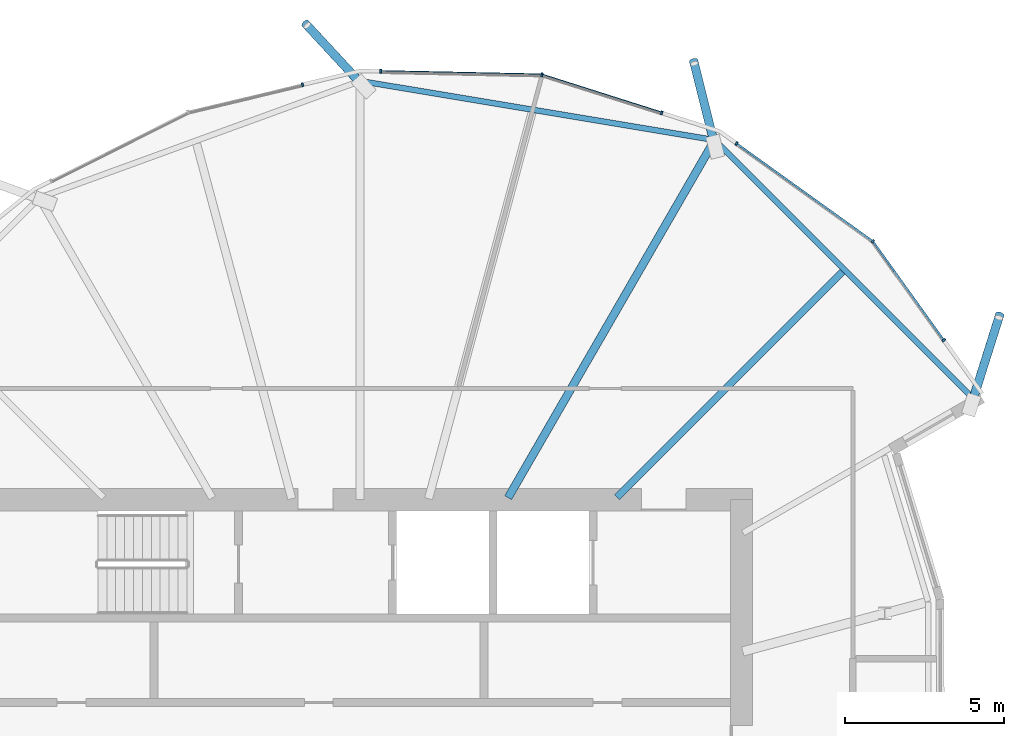
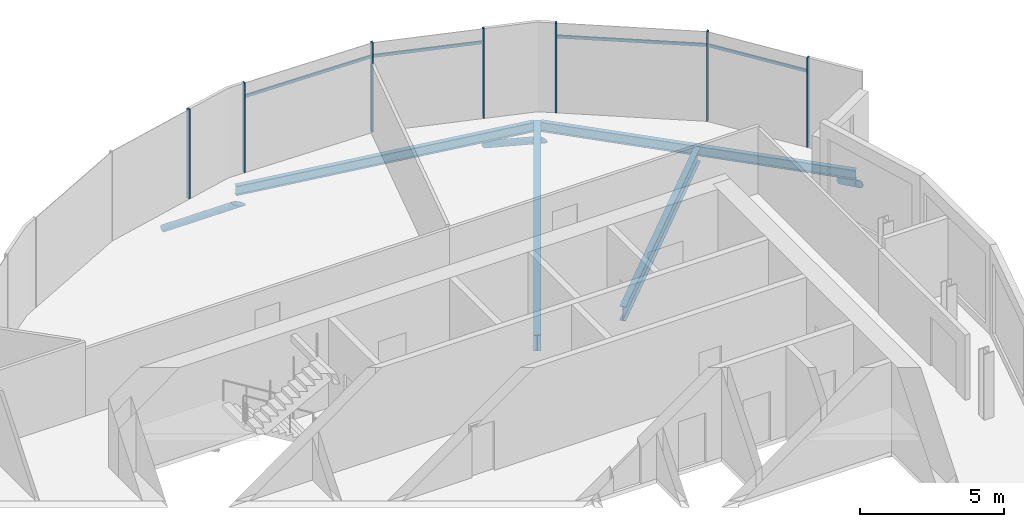
# One storey, part 18 of 39: 14 members, 4 beams, 1 element without a shape of its own.
"""IFC4 building model written with IfcOpenShell, lengths in metres."""

from ifc_helpers import new_model, si_unit, direction, frame, origin, origin_2d, place, context, subcontext, project, spatial, rectangle, hollow_circle, i_section, extrude, clip, halfspace, material, material_profile, profile_set, type_object, element, aggregate, save


model = new_model("IFC4")

# Units and contexts
model_context = context("Model", 3, precision=1e-05, world=origin(), true_north=direction((0.0, 1.0)))
body_context = subcontext(model_context, "Body", "Model", "MODEL_VIEW")
ifc_project = project(units=[si_unit("LENGTHUNIT", "METRE"), si_unit("AREAUNIT", "SQUARE_METRE"), si_unit("VOLUMEUNIT", "CUBIC_METRE"), si_unit("PLANEANGLEUNIT", "RADIAN"), si_unit("MASSUNIT", "GRAM", prefix="KILO")], contexts=[model_context])

# Site, building, storey
site_placement = place(None, origin())
site = spatial("IfcSite", under=ifc_project, at=site_placement, CompositionType="ELEMENT")
building_placement = place(site_placement, origin())
building = spatial("IfcBuilding", under=site, at=building_placement, Name="Rimbun Link Towers", CompositionType="ELEMENT")
storey_placement = place(building_placement, frame((0.0, 0.0, 143.0)))
storey = spatial("IfcBuildingStorey", under=building, at=storey_placement, Name="L34", CompositionType="ELEMENT", Elevation=143.0)

# Curtain wall, members
ifc_material_1 = material(Name="Aluminium 6063-T6 and low-iron glass", Category="aluminium")
curtain_wall_type = type_object("IfcCurtainWallType", Name="CW4 link block wall", PredefinedType="NOTDEFINED", material=ifc_material_1)
curtain_wall_placement = place(storey_placement, origin())
curtain_wall = element("IfcCurtainWall", 1, at=curtain_wall_placement, inside=storey, type_object=curtain_wall_type, Name="CW4 L34 T2", PredefinedType="NOTDEFINED")
ifc_material_2 = material(Name="Aluminium 6063-T6", Category="aluminium")
ifc_material_profile_1 = material_profile(ifc_material_2, rectangle(XDim=0.1201171875, YDim=0.06005859375, at=origin_2d()), Name="MULLION 60X120")
ifc_profile_set_1 = profile_set([ifc_material_profile_1], Name="Aluminium 6063-T6")
member_type_1 = type_object("IfcMemberType", Name="CW4 mullion 60X120", PredefinedType="MULLION", material=ifc_profile_set_1)
member_1_placement = place(storey_placement, frame((43.593994140625, 19.208984375, 0.0), z_axis=(0.0, 0.0, 1.0), x_axis=(0.58300948996, 0.81246534364, 0.0)))
member_1 = element("IfcMember", 2, at=member_1_placement, type_object=member_type_1, Name="CW4 mullion", PredefinedType="MULLION", context=body_context, shape_type="SweptSolid", body=[
    extrude(rectangle(XDim=0.1201171875, YDim=0.06005859375, at=origin_2d()), origin(), (0.0, 0.0, 1.0), 3.800048828125),
])
member_2_placement = place(storey_placement, frame((47.881591796875, 16.131591796875, 0.0), z_axis=(0.0, 0.0, 1.0), x_axis=(0.707106781187, 0.707106781187, 0.0)))
member_2 = element("IfcMember", 3, at=member_2_placement, type_object=member_type_1, Name="CW4 mullion", PredefinedType="MULLION", context=body_context, shape_type="SweptSolid", body=[
    extrude(rectangle(XDim=0.1201171875, YDim=0.06005859375, at=origin_2d()), origin(), (0.0, 0.0, 1.0), 3.800048828125),
])
member_3_placement = place(storey_placement, frame((37.469970703125, 21.3701171875, 0.0), z_axis=(0.0, 0.0, 1.0), x_axis=(0.163742365799, 0.986503136154, 0.0)))
member_3 = element("IfcMember", 4, at=member_3_placement, type_object=member_type_1, Name="CW4 mullion", PredefinedType="MULLION", context=body_context, shape_type="SweptSolid", body=[
    extrude(rectangle(XDim=0.1201171875, YDim=0.06005859375, at=origin_2d()), origin(), (0.0, 0.0, 1.0), 3.800048828125),
])
member_4_placement = place(storey_placement, frame((41.238525390625, 20.17236328125, 0.0), z_axis=(0.0, 0.0, 1.0), x_axis=(0.303059612182, 0.952971600555, 0.0)))
member_4 = element("IfcMember", 5, at=member_4_placement, type_object=member_type_1, Name="CW4 mullion", PredefinedType="MULLION", context=body_context, shape_type="SweptSolid", body=[
    extrude(rectangle(XDim=0.1201171875, YDim=0.06005859375, at=origin_2d()), origin(), (0.0, 0.0, 1.0), 3.800048828125),
])
member_5_placement = place(storey_placement, frame((32.401123046875, 21.4775390625, 0.0), z_axis=(0.0, 0.0, 1.0), x_axis=(0.021062889527, 0.999778152734, 0.0)))
member_5 = element("IfcMember", 6, at=member_5_placement, type_object=member_type_1, Name="CW4 mullion", PredefinedType="MULLION", context=body_context, shape_type="SweptSolid", body=[
    extrude(rectangle(XDim=0.1201171875, YDim=0.06005859375, at=origin_2d()), origin(), (0.0, 0.0, 1.0), 3.800048828125),
])
member_6_placement = place(storey_placement, frame((29.936767578125, 21.059326171875, 0.0), z_axis=(0.0, 0.0, 1.0), x_axis=(-0.232587665973, 0.972575435448, 0.0)))
member_6 = element("IfcMember", 7, at=member_6_placement, type_object=member_type_1, Name="CW4 mullion", PredefinedType="MULLION", context=body_context, shape_type="SweptSolid", body=[
    extrude(rectangle(XDim=0.1201171875, YDim=0.06005859375, at=origin_2d()), origin(), (0.0, 0.0, 1.0), 3.800048828125),
])
member_7_placement = place(storey_placement, frame((50.11376953125, 13.022216796875, 0.0), z_axis=(0.0, 0.0, 1.0), x_axis=(0.81246534364, 0.58300948996, 0.0)))
member_7 = element("IfcMember", 8, at=member_7_placement, type_object=member_type_1, Name="CW4 mullion", PredefinedType="MULLION", context=body_context, shape_type="SweptSolid", body=[
    extrude(rectangle(XDim=0.1201171875, YDim=0.06005859375, at=origin_2d()), origin(), (0.0, 0.0, 1.0), 3.800048828125),
])
ifc_material_3 = material(Name="Aluminium 6063-T6", Category="aluminium")
ifc_material_profile_2 = material_profile(ifc_material_3, rectangle(XDim=0.06005859375, YDim=0.1201171875, at=origin_2d()), Name="TRANSOM 60X120")
ifc_profile_set_2 = profile_set([ifc_material_profile_2], Name="Aluminium 6063-T6")
member_type_2 = type_object("IfcMemberType", Name="CW4 transom 60X120", PredefinedType="USERDEFINED", material=ifc_profile_set_2)
member_8_placement = place(storey_placement, frame((43.6171875, 19.18994140625, 3.199951171875), z_axis=(0.812489980296, -0.58297515549, 0.0), x_axis=(0.58297515549, 0.812489980296, 0.0)))
member_8 = element("IfcMember", 9, at=member_8_placement, type_object=member_type_2, Name="CW4 transom", ObjectType="TRANSOM", PredefinedType="USERDEFINED", context=body_context, shape_type="SweptSolid", body=[
    extrude(rectangle(XDim=0.06005859375, YDim=0.1201171875, at=origin_2d()), origin(), (0.0, 0.0, 1.0), 5.2080078125),
])
member_9_placement = place(storey_placement, frame((37.50634765625, 21.357177734375, 3.199951171875), z_axis=(0.952959606223, -0.303097325801, 0.0), x_axis=(0.303097325801, 0.952959606223, 0.0)))
member_9 = element("IfcMember", 10, at=member_9_placement, type_object=member_type_2, Name="CW4 transom", ObjectType="TRANSOM", PredefinedType="USERDEFINED", context=body_context, shape_type="SweptSolid", body=[
    extrude(rectangle(XDim=0.06005859375, YDim=0.1201171875, at=origin_2d()), origin(), (0.0, 0.0, 1.0), 3.8857421875),
])
member_10_placement = place(storey_placement, frame((32.43115234375, 21.474853515625, 3.199951171875), z_axis=(0.99977865077, -0.021039236291, 0.0), x_axis=(0.021039236291, 0.99977865077, 0.0)))
member_10 = element("IfcMember", 11, at=member_10_placement, type_object=member_type_2, Name="CW4 transom", ObjectType="TRANSOM", PredefinedType="USERDEFINED", context=body_context, shape_type="SweptSolid", body=[
    extrude(rectangle(XDim=0.06005859375, YDim=0.1201171875, at=origin_2d()), origin(), (0.0, 0.0, 1.0), 5.00146484375),
])
member_11_placement = place(storey_placement, frame((47.90380859375, 16.0986328125, 3.199951171875), z_axis=(0.583006708958, -0.812467339227, 0.0), x_axis=(0.812467339227, 0.583006708958, 0.0)))
member_11 = element("IfcMember", 12, at=member_11_placement, type_object=member_type_2, Name="CW4 transom", ObjectType="TRANSOM", PredefinedType="USERDEFINED", context=body_context, shape_type="SweptSolid", body=[
    extrude(rectangle(XDim=0.06005859375, YDim=0.1201171875, at=origin_2d()), origin(), (0.0, 0.0, 1.0), 3.758056640625),
])
aggregate(curtain_wall, [member_1, member_2, member_3, member_4, member_5, member_6, member_7, member_8, member_9, member_10, member_11])

# Members
ifc_material_4 = material(Name="Steel S355J2H", Category="steel")
ifc_material_profile_3 = material_profile(ifc_material_4, hollow_circle(Radius=0.136474609375, WallThickness=0.012451171875, at=origin_2d()), Name="CHS 273x12.5")
ifc_profile_set_3 = profile_set([ifc_material_profile_3], Name="Steel S355J2H")
member_type_3 = type_object("IfcMemberType", Name="Floor edge link CHS 273x12.5", PredefinedType="BRACE", material=ifc_profile_set_3)
member_12_placement = place(storey_placement, frame((42.878173828125, 19.2744140625, -0.98193359375), z_axis=(-0.211190436745, 0.841445466662, -0.497361162598), x_axis=(-0.969917223823, -0.24343495832, 0.0)))
element("IfcMember", 13, at=member_12_placement, inside=storey, type_object=member_type_3, Name="Floor edge link T2 L34 01", PredefinedType="BRACE", context=body_context, shape_type="Clipping", body=[
    clip(extrude(hollow_circle(Radius=0.136474609375, WallThickness=0.012451171875, at=origin_2d()), frame((0.0, 0.0, -0.496337890625)), (0.0, 0.0, 1.0), 3.5146484375), halfspace(frame((0.0, 0.0, -0.234130859375), z_axis=(0.0, 0.86754358619, -0.497361162598)), False)),
])
member_13_placement = place(storey_placement, frame((31.75, 21.124267578125, -0.98095703125), z_axis=(-0.585517339226, 0.631677084251, -0.508088089506), x_axis=(-0.733395258638, -0.679802467344, 0.0)))
element("IfcMember", 14, at=member_13_placement, inside=storey, type_object=member_type_3, Name="Floor edge link T2 L34 03", PredefinedType="BRACE", context=body_context, shape_type="Clipping", body=[
    clip(extrude(hollow_circle(Radius=0.136474609375, WallThickness=0.012451171875, at=origin_2d()), frame((0.0, 0.0, -0.482421875)), (0.0, 0.0, 1.0), 3.433837890625), halfspace(frame((0.0, 0.0, -0.227294921875), z_axis=(0.0, 0.861305110458, -0.508088089506)), False)),
])
member_14_placement = place(storey_placement, frame((51.0244140625, 11.128173828125, -0.748779296875), z_axis=(0.254433213467, 0.806179184546, -0.534171191931), x_axis=(-0.953633496524, 0.300970354534, 0.0)))
element("IfcMember", 15, at=member_14_placement, inside=storey, type_object=member_type_3, Name="Floor edge link T2 L34 23", PredefinedType="BRACE", context=body_context, shape_type="Clipping", body=[
    clip(extrude(hollow_circle(Radius=0.136474609375, WallThickness=0.012451171875, at=origin_2d()), frame((0.0, 0.0, -0.450927734375)), (0.0, 0.0, 1.0), 3.798828125), halfspace(frame((0.0, 0.0, -0.212158203125), z_axis=(0.0, 0.845376329046, -0.534171191931)), False)),
])

# Beams
ifc_material_5 = material(Name="Steel S355J2", Category="steel")
ifc_material_profile_4 = material_profile(ifc_material_5, i_section(OverallWidth=0.177978515625, OverallDepth=0.406494140625, WebThickness=0.0078125, FlangeThickness=0.0126953125, at=origin_2d()), Name="UB 406x178x60")
ifc_profile_set_4 = profile_set([ifc_material_profile_4], Name="Steel S355J2")
beam_type_1 = type_object("IfcBeamType", Name="UB 406x178x60", PredefinedType="BEAM", material=ifc_profile_set_4)
beam_1_placement = place(storey_placement, frame((42.768310546875, 19.340087890625, -0.38330078125), z_axis=(-0.986428565944, 0.16419099942, 0.0), x_axis=(-0.16419099942, -0.986428565944, 0.0)))
element("IfcBeam", 16, at=beam_1_placement, inside=storey, type_object=beam_type_1, Name="Edge beam T2 L34 01-03", PredefinedType="BEAM", context=body_context, shape_type="SweptSolid", body=[
    extrude(i_section(OverallWidth=0.177978515625, OverallDepth=0.406494140625, WebThickness=0.0078125, FlangeThickness=0.0126953125, at=origin_2d()), origin(), (0.0, 0.0, 1.0), 11.04052734375),
])
beam_2_placement = place(storey_placement, frame((50.997314453125, 11.223388671875, -0.38330078125), z_axis=(-0.707106781187, 0.707106781187, 0.0), x_axis=(-0.707106781187, -0.707106781187, 0.0)))
element("IfcBeam", 17, at=beam_2_placement, inside=storey, type_object=beam_type_1, Name="Edge beam T2 L34 23-01", PredefinedType="BEAM", context=body_context, shape_type="SweptSolid", body=[
    extrude(i_section(OverallWidth=0.177978515625, OverallDepth=0.406494140625, WebThickness=0.0078125, FlangeThickness=0.0126953125, at=origin_2d()), origin(), (0.0, 0.0, 1.0), 11.314697265625),
])
ifc_material_6 = material(Name="Steel S355J2", Category="steel")
ifc_material_profile_5 = material_profile(ifc_material_6, i_section(OverallWidth=0.2275390625, OverallDepth=0.6025390625, WebThickness=0.010498046875, FlangeThickness=0.014892578125, at=origin_2d()), Name="UB 610x229x101")
ifc_profile_set_5 = profile_set([ifc_material_profile_5], Name="Steel S355J2")
beam_type_2 = type_object("IfcBeamType", Name="UB 610x229x101", PredefinedType="BEAM", material=ifc_profile_set_5)
beam_3_placement = place(storey_placement, frame((39.831298828125, 8.081298828125, -0.481201171875), z_axis=(0.707106781187, 0.707106781187, 0.0), x_axis=(-0.707106781187, 0.707106781187, 0.0)))
element("IfcBeam", 18, at=beam_3_placement, inside=storey, type_object=beam_type_2, Name="Radial beam T2 L34 00", PredefinedType="BEAM", context=body_context, shape_type="SweptSolid", body=[
    extrude(i_section(OverallWidth=0.2275390625, OverallDepth=0.6025390625, WebThickness=0.010498046875, FlangeThickness=0.014892578125, at=origin_2d()), origin(), (0.0, 0.0, 1.0), 10.02734375),
])
ifc_material_7 = material(Name="Steel S355J2", Category="steel")
ifc_material_profile_6 = material_profile(ifc_material_7, i_section(OverallWidth=0.253662109375, OverallDepth=0.68359375, WebThickness=0.012451171875, FlangeThickness=0.01904296875, at=origin_2d()), Name="UB 686x254x140")
ifc_profile_set_6 = profile_set([ifc_material_profile_6], Name="Steel S355J2")
beam_type_3 = type_object("IfcBeamType", Name="UB 686x254x140", PredefinedType="BEAM", material=ifc_profile_set_6)
beam_4_placement = place(storey_placement, frame((36.406005859375, 8.064208984375, -0.521728515625), z_axis=(0.499994598707, 0.8660285222, 0.0), x_axis=(-0.8660285222, 0.499994598707, 0.0)))
element("IfcBeam", 19, at=beam_4_placement, inside=storey, type_object=beam_type_3, Name="Radial beam T2 L34 01", PredefinedType="BEAM", context=body_context, shape_type="SweptSolid", body=[
    extrude(i_section(OverallWidth=0.253662109375, OverallDepth=0.68359375, WebThickness=0.012451171875, FlangeThickness=0.01904296875, at=origin_2d()), origin(), (0.0, 0.0, 1.0), 12.994384765625),
])

save(model, "model.ifc")
